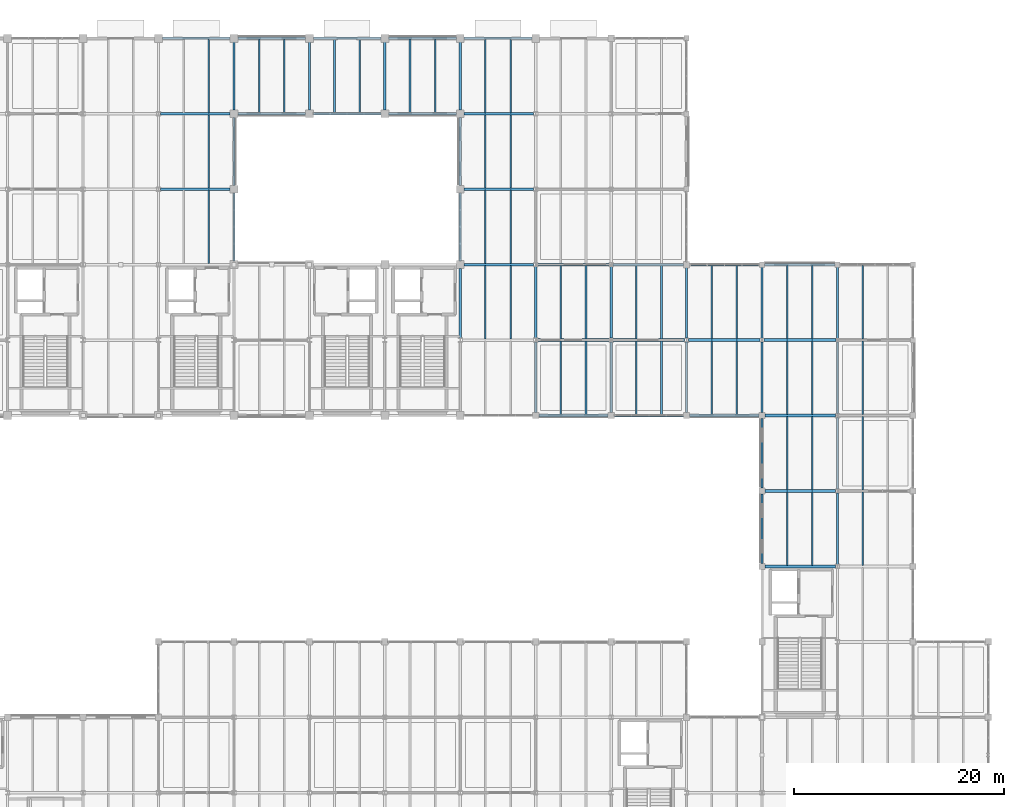
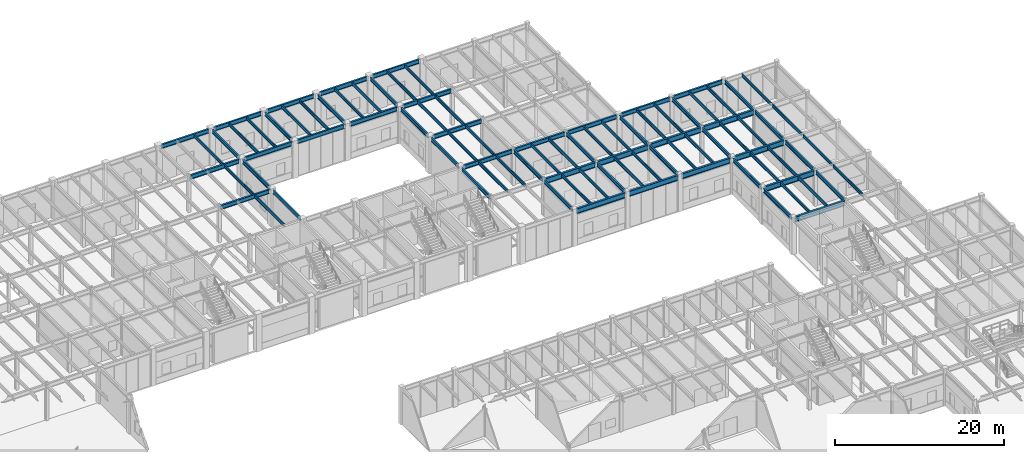
# One storey, part 27 of 97: 91 beams.
"""IFC4 building model written with IfcOpenShell, lengths in metres."""

import ifcopenshell
import ifcopenshell.guid

model = None  # the IFC model being written
_history = None  # IfcOwnerHistory: only IFC2X3 demands one
_inside = {}  # id of a spatial element -> (the spatial element, [elements in it])
_under = {}  # id of a project, library or spatial element -> (it, [spatial elements below it])
_declared = {}  # id of a project -> (the project, [libraries it declares])
_typed = {}  # id of a type object -> (the type object, [elements of that type])
_made_of = {}  # id of a material, layer set ... -> (it, [elements and type objects made of it])


def new_model(schema):
    """Start an empty IFC model of exactly this schema.

    Asked for "IFC4X3", IfcOpenShell would pick the latest addendum, in which some entities
    have other attributes; the version numbers below select the first issue.
    IFC2X3 requires an IfcOwnerHistory on every rooted entity: one is made here for all.
    """
    global model, _history
    if schema == "IFC4X3":
        model = ifcopenshell.file(schema_version=(4, 3, 0, 0))
    else:
        model = ifcopenshell.file(schema=schema)
    _inside.clear()
    _under.clear()
    _declared.clear()
    _typed.clear()
    _made_of.clear()
    _history = None
    if model.schema == "IFC2X3":
        org = make("IfcOrganization", Name="unknown")
        user = make(
            "IfcPersonAndOrganization",
            ThePerson=make("IfcPerson", FamilyName="unknown"),
            TheOrganization=org,
        )
        app = make(
            "IfcApplication",
            ApplicationDeveloper=org,
            Version="unknown",
            ApplicationFullName="unknown",
            ApplicationIdentifier="unknown",
        )
        _history = make(
            "IfcOwnerHistory",
            OwningUser=user,
            OwningApplication=app,
            ChangeAction="ADDED",
            CreationDate=0,
        )
    return model


def make(cls, **values):
    """One entity of the class cls with the attributes given. An attribute that is None is left unset."""
    return model.create_entity(
        cls, **{name: value for name, value in values.items() if value is not None}
    )


def rooted(cls, **values):
    """An entity with a GlobalId (a new one), such as an element, a storey or a relation."""
    return make(cls, GlobalId=ifcopenshell.guid.new(), OwnerHistory=_history, **values)


def si_unit(unit_type, name, prefix=None):
    """IfcSIUnit, for example si_unit("LENGTHUNIT", "METRE", prefix="MILLI")."""
    return make("IfcSIUnit", UnitType=unit_type, Prefix=prefix, Name=name)


def assignment(units):
    """IfcUnitAssignment: the units of a project."""
    return None if units is None else make("IfcUnitAssignment", Units=units)


def point(xyz):
    """IfcCartesianPoint."""
    return None if xyz is None else make("IfcCartesianPoint", Coordinates=xyz)


def direction(xyz):
    """IfcDirection."""
    return None if xyz is None else make("IfcDirection", DirectionRatios=xyz)


def frame(location, z_axis=None, x_axis=None):
    """IfcAxis2Placement3D, a coordinate frame: its origin and axes. An axis left out is left unset."""
    return make(
        "IfcAxis2Placement3D",
        Location=point(location),
        Axis=direction(z_axis),
        RefDirection=direction(x_axis),
    )


def frame_2d(location, x_axis=None):
    """IfcAxis2Placement2D, a coordinate frame in the plane: its origin and x axis."""
    return make(
        "IfcAxis2Placement2D", Location=point(location), RefDirection=direction(x_axis)
    )


def origin():
    """The frame at (0, 0, 0) with its axes left unset."""
    return frame((0.0, 0.0, 0.0))


def origin_2d():
    """The frame at (0, 0) in the plane with its x axis left unset."""
    return frame_2d((0.0, 0.0))


def place(relative_to, where):
    """IfcLocalPlacement: puts the frame where relative to a parent placement (None: the world)."""
    return make(
        "IfcLocalPlacement", PlacementRelTo=relative_to, RelativePlacement=where
    )


def context(
    kind, dimensions, precision=None, world=None, true_north=None, identifier=None
):
    """IfcGeometricRepresentationContext, for example the 3D "Model" context."""
    return make(
        "IfcGeometricRepresentationContext",
        ContextIdentifier=identifier,
        ContextType=kind,
        CoordinateSpaceDimension=dimensions,
        Precision=precision,
        WorldCoordinateSystem=world,
        TrueNorth=true_north,
    )


def subcontext(parent, identifier, kind, view, scale=None):
    """IfcGeometricRepresentationSubContext, for example "Body" below "Model"."""
    return make(
        "IfcGeometricRepresentationSubContext",
        ContextIdentifier=identifier,
        ContextType=kind,
        ParentContext=parent,
        TargetScale=scale,
        TargetView=view,
    )


def project(units=None, contexts=None):
    """IfcProject with its units and contexts."""
    return rooted(
        "IfcProject",
        Name="project",
        RepresentationContexts=contexts,
        UnitsInContext=assignment(units),
    )


def spatial(cls, under=None, at=None, **own):
    """A site, building, storey or space (cls), placed at a placement, below another one or the project."""
    s = rooted(cls, ObjectPlacement=at, **own)
    if under is not None:
        _under.setdefault(under.id(), (under, []))[1].append(s)
    return s


def profile(cls, at=None, kind="AREA", **sizes):
    """A parametric profile (cls). Its sizes go by their IFC names, for example OverallWidth=200.0."""
    return make(cls, ProfileType=kind, Position=at, **sizes)


def i_section(**sizes):
    """IfcIShapeProfileDef."""
    return profile("IfcIShapeProfileDef", **sizes)


def extrude(swept, where, along, depth):
    """IfcExtrudedAreaSolid: the profile swept, set in the frame where, extruded along a direction by depth."""
    return make(
        "IfcExtrudedAreaSolid",
        SweptArea=swept,
        Position=where,
        ExtrudedDirection=direction(along),
        Depth=depth,
    )


def shape(context_of_items, identifier, shape_type, items):
    """IfcShapeRepresentation: the items that make up one representation, for example the "Body"."""
    return make(
        "IfcShapeRepresentation",
        ContextOfItems=context_of_items,
        RepresentationIdentifier=identifier,
        RepresentationType=shape_type,
        Items=items,
    )


def material(Name=None, Category=None):
    """IfcMaterial."""
    return make("IfcMaterial", Name=Name, Category=Category)


def material_profile(
    of_material, cross_section, Name=None, Category=None, Priority=None
):
    """IfcMaterialProfile: a cross section and its material."""
    return make(
        "IfcMaterialProfile",
        Name=Name,
        Material=of_material,
        Profile=cross_section,
        Priority=Priority,
        Category=Category,
    )


def profile_set(profiles, Name=None, composite=None):
    """IfcMaterialProfileSet."""
    return make(
        "IfcMaterialProfileSet",
        Name=Name,
        MaterialProfiles=profiles,
        CompositeProfile=composite,
    )


def made_of(thing, what):
    """Note that an element or type object is made of a material, layer set ...; save() writes the relation."""
    if what is not None:
        _made_of.setdefault(what.id(), (what, []))[1].append(thing)
    return thing


def type_object(cls, material=None, **own):
    """A type object (cls), such as IfcWallType, which elements share."""
    return made_of(rooted(cls, **own), material)


def element(
    cls,
    number,
    at=None,
    inside=None,
    cuts=None,
    type_object=None,
    material=None,
    context=None,
    identifier="Body",
    shape_type=None,
    held_by="IfcProductDefinitionShape",
    body=None,
    shapes=None,
    **own,
):
    """One element of the class cls, such as IfcWall. Its Tag is "e" and its number.

    at: its placement. inside: the storey or other place that contains it. cuts: it is an
    opening in that element (IfcRelVoidsElement). A single representation is given by context,
    identifier, shape_type and body (its items); several are given by shapes. held_by: the class
    of the entity that holds the representations. save() writes the other relations.
    """
    e = rooted(cls, Tag="e%d" % number, ObjectPlacement=at, **own)
    if body is not None:
        shapes = [shape(context, identifier, shape_type, body)]
    if shapes is not None:
        e.Representation = make(held_by, Representations=shapes)
    if inside is not None:
        _inside.setdefault(inside.id(), (inside, []))[1].append(e)
    if cuts is not None:
        rooted(
            "IfcRelVoidsElement", RelatingBuildingElement=cuts, RelatedOpeningElement=e
        )
    if type_object is not None:
        _typed.setdefault(type_object.id(), (type_object, []))[1].append(e)
    return made_of(e, material)


def aggregate(whole, parts):
    """IfcRelAggregates: a whole, such as a stair, and the parts it consists of."""
    return rooted("IfcRelAggregates", RelatingObject=whole, RelatedObjects=parts)


def save(model, path):
    """Write the relations noted so far, then the file.

    IfcRelAggregates (storeys below a building ...), IfcRelContainedInSpatialStructure (elements
    in a storey), IfcRelDefinesByType, IfcRelAssociatesMaterial and IfcRelDeclares: one each for
    every whole, place, type object, material and project.
    """
    for whole, parts in _under.values():
        aggregate(whole, parts)
    for where, things in _inside.values():
        rooted(
            "IfcRelContainedInSpatialStructure",
            RelatedElements=things,
            RelatingStructure=where,
        )
    for kind, things in _typed.values():
        rooted("IfcRelDefinesByType", RelatedObjects=things, RelatingType=kind)
    for what, things in _made_of.values():
        rooted("IfcRelAssociatesMaterial", RelatedObjects=things, RelatingMaterial=what)
    for by, libraries in _declared.values():
        rooted("IfcRelDeclares", RelatingContext=by, RelatedDefinitions=libraries)
    model.write(path)


model = new_model("IFC4")

# Units and contexts
model_context = context("Model", 3, precision=1e-05, world=origin(), true_north=direction((0.0, 1.0)))
body_context = subcontext(model_context, "Body", "Model", "MODEL_VIEW")
ifc_project = project(units=[si_unit("LENGTHUNIT", "METRE"), si_unit("AREAUNIT", "SQUARE_METRE"), si_unit("VOLUMEUNIT", "CUBIC_METRE"), si_unit("PLANEANGLEUNIT", "RADIAN"), si_unit("MASSUNIT", "GRAM", prefix="KILO")], contexts=[model_context])

# Site, building, storey
site_placement = place(None, origin())
site = spatial("IfcSite", under=ifc_project, at=site_placement, CompositionType="ELEMENT")
building_placement = place(site_placement, origin())
building = spatial("IfcBuilding", under=site, at=building_placement, Name="Sillqori Civic Hall", CompositionType="ELEMENT")
storey_placement = place(building_placement, origin())
storey = spatial("IfcBuildingStorey", under=building, at=storey_placement, Name="L01", CompositionType="ELEMENT", Elevation=0.0)

# Beams
ifc_material = material(Name="Steel ASTM A992", Category="steel")
ifc_material_profile_1 = material_profile(ifc_material, i_section(OverallWidth=0.2099609375, OverallDepth=0.532958984375, WebThickness=0.01025390625, FlangeThickness=0.015625, FilletRadius=0.013916015625, at=origin_2d()), Name="W21X62")
ifc_profile_set_1 = profile_set([ifc_material_profile_1], Name="Steel ASTM A992")
beam_type_1 = type_object("IfcBeamType", Name="BM-W21X62", PredefinedType="BEAM", material=ifc_profile_set_1)
beam_1_placement = place(storey_placement, frame((72.0, 93.968994140625, 4.93359375), z_axis=(0.0, 1.0, 0.0), x_axis=(-1.0, 0.0, 0.0)))
element("IfcBeam", 1, at=beam_1_placement, inside=storey, type_object=beam_type_1, Name="L01 girder Y 10-13", PredefinedType="BEAM", context=body_context, shape_type="SweptSolid", body=[
    extrude(i_section(OverallWidth=0.2099609375, OverallDepth=0.532958984375, WebThickness=0.01025390625, FlangeThickness=0.015625, FilletRadius=0.013916015625, at=origin_2d()), origin(), (0.0, 0.0, 1.0), 6.4619140625),
])
for number, where, z_axis, x_axis, name in (
    (2, (72.0, 101.1689453125, 4.93359375), (0.0, 1.0, 0.0), (-1.0, 0.0, 0.0), "L01 girder Y 10-14"),
    (3, (72.0, 108.368896484375, 4.93359375), (0.0, 1.0, 0.0), (-1.0, 0.0, 0.0), "L01 girder Y 10-15"),
    (4, (79.199951171875, 108.368896484375, 4.93359375), (0.0, 1.0, 0.0), (-1.0, 0.0, 0.0), "L01 girder Y 11-15"),
    (5, (86.39990234375, 108.368896484375, 4.93359375), (0.0, 1.0, 0.0), (-1.0, 0.0, 0.0), "L01 girder Y 12-15"),
):
    element("IfcBeam", number, at=place(storey_placement, frame(where, z_axis=z_axis, x_axis=x_axis)), inside=storey, type_object=beam_type_1, Name=name, PredefinedType="BEAM", context=body_context, shape_type="SweptSolid", body=[
        extrude(i_section(OverallWidth=0.2099609375, OverallDepth=0.532958984375, WebThickness=0.01025390625, FlangeThickness=0.015625, FilletRadius=0.013916015625, at=origin_2d()), origin(), (0.0, 0.0, 1.0), 6.462158203125),
    ])
beam_2_placement = place(storey_placement, frame((93.60009765625, 86.596923828125, 4.93359375), z_axis=(0.0, 1.0, 0.0), x_axis=(-1.0, 0.0, 0.0)))
element("IfcBeam", 6, at=beam_2_placement, inside=storey, type_object=beam_type_1, Name="L01 girder Y 13-12", PredefinedType="BEAM", context=body_context, shape_type="SweptSolid", body=[
    extrude(i_section(OverallWidth=0.2099609375, OverallDepth=0.532958984375, WebThickness=0.01025390625, FlangeThickness=0.015625, FilletRadius=0.013916015625, at=origin_2d()), origin(), (0.0, 0.0, 1.0), 6.634033203125),
])
beam_3_placement = place(storey_placement, frame((93.60009765625, 93.968994140625, 4.93359375), z_axis=(0.0, 1.0, 0.0), x_axis=(-1.0, 0.0, 0.0)))
element("IfcBeam", 7, at=beam_3_placement, inside=storey, type_object=beam_type_1, Name="L01 girder Y 13-13", PredefinedType="BEAM", context=body_context, shape_type="SweptSolid", body=[
    extrude(i_section(OverallWidth=0.2099609375, OverallDepth=0.532958984375, WebThickness=0.01025390625, FlangeThickness=0.015625, FilletRadius=0.013916015625, at=origin_2d()), origin(), (0.0, 0.0, 1.0), 6.4619140625),
])
for number, where, z_axis, x_axis, name in (
    (8, (93.60009765625, 101.1689453125, 4.93359375), (0.0, 1.0, 0.0), (-1.0, 0.0, 0.0), "L01 girder Y 13-14"),
    (9, (93.60009765625, 108.368896484375, 4.93359375), (0.0, 1.0, 0.0), (-1.0, 0.0, 0.0), "L01 girder Y 13-15"),
):
    element("IfcBeam", number, at=place(storey_placement, frame(where, z_axis=z_axis, x_axis=x_axis)), inside=storey, type_object=beam_type_1, Name=name, PredefinedType="BEAM", context=body_context, shape_type="SweptSolid", body=[
        extrude(i_section(OverallWidth=0.2099609375, OverallDepth=0.532958984375, WebThickness=0.01025390625, FlangeThickness=0.015625, FilletRadius=0.013916015625, at=origin_2d()), origin(), (0.0, 0.0, 1.0), 6.462158203125),
    ])
beam_4_placement = place(storey_placement, frame((100.800048828125, 79.493896484375, 4.93359375), z_axis=(0.0, 1.0, 0.0), x_axis=(-1.0, 0.0, 0.0)))
element("IfcBeam", 10, at=beam_4_placement, inside=storey, type_object=beam_type_1, Name="L01 girder Y 14-11", PredefinedType="BEAM", context=body_context, shape_type="SweptSolid", body=[
    extrude(i_section(OverallWidth=0.2099609375, OverallDepth=0.532958984375, WebThickness=0.01025390625, FlangeThickness=0.015625, FilletRadius=0.013916015625, at=origin_2d()), origin(), (0.0, 0.0, 1.0), 6.708984375),
])
beam_5_placement = place(storey_placement, frame((100.800048828125, 86.596923828125, 4.93359375), z_axis=(0.0, 1.0, 0.0), x_axis=(-1.0, 0.0, 0.0)))
element("IfcBeam", 11, at=beam_5_placement, inside=storey, type_object=beam_type_1, Name="L01 girder Y 14-12", PredefinedType="BEAM", context=body_context, shape_type="SweptSolid", body=[
    extrude(i_section(OverallWidth=0.2099609375, OverallDepth=0.532958984375, WebThickness=0.01025390625, FlangeThickness=0.015625, FilletRadius=0.013916015625, at=origin_2d()), origin(), (0.0, 0.0, 1.0), 6.80615234375),
])
beam_6_placement = place(storey_placement, frame((108.0, 79.493896484375, 4.93359375), z_axis=(0.0, 1.0, 0.0), x_axis=(-1.0, 0.0, 0.0)))
element("IfcBeam", 12, at=beam_6_placement, inside=storey, type_object=beam_type_1, Name="L01 girder Y 15-11", PredefinedType="BEAM", context=body_context, shape_type="SweptSolid", body=[
    extrude(i_section(OverallWidth=0.2099609375, OverallDepth=0.532958984375, WebThickness=0.01025390625, FlangeThickness=0.015625, FilletRadius=0.013916015625, at=origin_2d()), origin(), (0.0, 0.0, 1.0), 6.72412109375),
])
beam_7_placement = place(storey_placement, frame((108.0, 86.58203125, 4.93359375), z_axis=(0.0, 1.0, 0.0), x_axis=(-1.0, 0.0, 0.0)))
element("IfcBeam", 13, at=beam_7_placement, inside=storey, type_object=beam_type_1, Name="L01 girder Y 15-12", PredefinedType="BEAM", context=body_context, shape_type="SweptSolid", body=[
    extrude(i_section(OverallWidth=0.2099609375, OverallDepth=0.532958984375, WebThickness=0.01025390625, FlangeThickness=0.015625, FilletRadius=0.013916015625, at=origin_2d()), origin(), (0.0, 0.0, 1.0), 6.8359375),
])
for number, where, z_axis, x_axis, name in (
    (14, (115.199951171875, 79.493896484375, 4.93359375), (0.0, 1.0, 0.0), (-1.0, 0.0, 0.0), "L01 girder Y 16-11"),
    (15, (115.199951171875, 86.577880859375, 4.93359375), (0.0, 1.0, 0.0), (-1.0, 0.0, 0.0), "L01 girder Y 16-12"),
):
    element("IfcBeam", number, at=place(storey_placement, frame(where, z_axis=z_axis, x_axis=x_axis)), inside=storey, type_object=beam_type_1, Name=name, PredefinedType="BEAM", context=body_context, shape_type="SweptSolid", body=[
        extrude(i_section(OverallWidth=0.2099609375, OverallDepth=0.532958984375, WebThickness=0.01025390625, FlangeThickness=0.015625, FilletRadius=0.013916015625, at=origin_2d()), origin(), (0.0, 0.0, 1.0), 6.72802734375),
    ])
for number, where, z_axis, x_axis, name in (
    (16, (122.39990234375, 65.093994140625, 4.93359375), (0.0, 1.0, 0.0), (-1.0, 0.0, 0.0), "L01 girder Y 17-9"),
    (17, (122.39990234375, 72.2939453125, 4.93359375), (0.0, 1.0, 0.0), (-1.0, 0.0, 0.0), "L01 girder Y 17-10"),
):
    element("IfcBeam", number, at=place(storey_placement, frame(where, z_axis=z_axis, x_axis=x_axis)), inside=storey, type_object=beam_type_1, Name=name, PredefinedType="BEAM", context=body_context, shape_type="SweptSolid", body=[
        extrude(i_section(OverallWidth=0.2099609375, OverallDepth=0.532958984375, WebThickness=0.01025390625, FlangeThickness=0.015625, FilletRadius=0.013916015625, at=origin_2d()), origin(), (0.0, 0.0, 1.0), 6.612060546875),
    ])
beam_8_placement = place(storey_placement, frame((122.39990234375, 79.493896484375, 4.93359375), z_axis=(0.0, 1.0, 0.0), x_axis=(-1.0, 0.0, 0.0)))
element("IfcBeam", 18, at=beam_8_placement, inside=storey, type_object=beam_type_1, Name="L01 girder Y 17-11", PredefinedType="BEAM", context=body_context, shape_type="SweptSolid", body=[
    extrude(i_section(OverallWidth=0.2099609375, OverallDepth=0.532958984375, WebThickness=0.01025390625, FlangeThickness=0.015625, FilletRadius=0.013916015625, at=origin_2d()), origin(), (0.0, 0.0, 1.0), 6.731689453125),
])
beam_9_placement = place(storey_placement, frame((122.39990234375, 86.574462890625, 4.93359375), z_axis=(0.0, 1.0, 0.0), x_axis=(-1.0, 0.0, 0.0)))
element("IfcBeam", 19, at=beam_9_placement, inside=storey, type_object=beam_type_1, Name="L01 girder Y 17-12", PredefinedType="BEAM", context=body_context, shape_type="SweptSolid", body=[
    extrude(i_section(OverallWidth=0.2099609375, OverallDepth=0.532958984375, WebThickness=0.01025390625, FlangeThickness=0.015625, FilletRadius=0.013916015625, at=origin_2d()), origin(), (0.0, 0.0, 1.0), 6.781494140625),
])
for number, where, z_axis, x_axis, name in (
    (20, (129.60009765625, 64.98193359375, 4.93359375), (0.0, 1.0, 0.0), (-1.0, 0.0, 0.0), "L01 girder Y 18-9"),
    (21, (129.60009765625, 72.181884765625, 4.93359375), (0.0, 1.0, 0.0), (-1.0, 0.0, 0.0), "L01 girder Y 18-10"),
):
    element("IfcBeam", number, at=place(storey_placement, frame(where, z_axis=z_axis, x_axis=x_axis)), inside=storey, type_object=beam_type_1, Name=name, PredefinedType="BEAM", context=body_context, shape_type="SweptSolid", body=[
        extrude(i_section(OverallWidth=0.2099609375, OverallDepth=0.532958984375, WebThickness=0.01025390625, FlangeThickness=0.015625, FilletRadius=0.013916015625, at=origin_2d()), origin(), (0.0, 0.0, 1.0), 6.836181640625),
    ])
beam_10_placement = place(storey_placement, frame((129.60009765625, 79.382080078125, 4.93359375), z_axis=(0.0, 1.0, 0.0), x_axis=(-1.0, 0.0, 0.0)))
element("IfcBeam", 22, at=beam_10_placement, inside=storey, type_object=beam_type_1, Name="L01 girder Y 18-11", PredefinedType="BEAM", context=body_context, shape_type="SweptSolid", body=[
    extrude(i_section(OverallWidth=0.2099609375, OverallDepth=0.532958984375, WebThickness=0.01025390625, FlangeThickness=0.015625, FilletRadius=0.013916015625, at=origin_2d()), origin(), (0.0, 0.0, 1.0), 6.842529296875),
])
beam_11_placement = place(storey_placement, frame((129.60009765625, 86.575439453125, 4.93359375), z_axis=(0.0, 1.0, 0.0), x_axis=(-1.0, 0.0, 0.0)))
element("IfcBeam", 23, at=beam_11_placement, inside=storey, type_object=beam_type_1, Name="L01 girder Y 18-12", PredefinedType="BEAM", context=body_context, shape_type="SweptSolid", body=[
    extrude(i_section(OverallWidth=0.2099609375, OverallDepth=0.532958984375, WebThickness=0.01025390625, FlangeThickness=0.015625, FilletRadius=0.013916015625, at=origin_2d()), origin(), (0.0, 0.0, 1.0), 6.780517578125),
])
ifc_material_profile_2 = material_profile(ifc_material, i_section(OverallWidth=0.22802734375, OverallDepth=0.60205078125, WebThickness=0.010498046875, FlangeThickness=0.014892578125, FilletRadius=0.014892578125, at=origin_2d()), Name="W24X68")
ifc_profile_set_2 = profile_set([ifc_material_profile_2], Name="Steel ASTM A992")
beam_type_2 = type_object("IfcBeamType", Name="BM-W24X68", PredefinedType="BEAM", material=ifc_profile_set_2)
for number, where, z_axis, x_axis, name in (
    (24, (64.99609375, 100.800048828125, 4.89892578125), (1.0, 0.0, 0.0), (0.0, 1.0, 0.0), "L01 girder X 9-14"),
    (25, (64.99609375, 108.0, 4.89892578125), (1.0, 0.0, 0.0), (0.0, 1.0, 0.0), "L01 girder X 9-15"),
):
    element("IfcBeam", number, at=place(storey_placement, frame(where, z_axis=z_axis, x_axis=x_axis)), inside=storey, type_object=beam_type_2, Name=name, PredefinedType="BEAM", context=body_context, shape_type="SweptSolid", body=[
        extrude(i_section(OverallWidth=0.22802734375, OverallDepth=0.60205078125, WebThickness=0.010498046875, FlangeThickness=0.014892578125, FilletRadius=0.014892578125, at=origin_2d()), origin(), (0.0, 0.0, 1.0), 6.635009765625),
    ])
for number, where, z_axis, x_axis, name in (
    (26, (65.1689453125, 115.199951171875, 4.89892578125), (1.0, 0.0, 0.0), (0.0, 1.0, 0.0), "L01 girder X 9-16"),
    (27, (72.368896484375, 108.0, 4.89892578125), (1.0, 0.0, 0.0), (0.0, 1.0, 0.0), "L01 girder X 10-15"),
    (28, (72.368896484375, 115.199951171875, 4.89892578125), (1.0, 0.0, 0.0), (0.0, 1.0, 0.0), "L01 girder X 10-16"),
):
    element("IfcBeam", number, at=place(storey_placement, frame(where, z_axis=z_axis, x_axis=x_axis)), inside=storey, type_object=beam_type_2, Name=name, PredefinedType="BEAM", context=body_context, shape_type="SweptSolid", body=[
        extrude(i_section(OverallWidth=0.22802734375, OverallDepth=0.60205078125, WebThickness=0.010498046875, FlangeThickness=0.014892578125, FilletRadius=0.014892578125, at=origin_2d()), origin(), (0.0, 0.0, 1.0), 6.462158203125),
    ])
for number, where, z_axis, x_axis, name in (
    (29, (79.569091796875, 108.0, 4.89892578125), (1.0, 0.0, 0.0), (0.0, 1.0, 0.0), "L01 girder X 11-15"),
    (30, (79.569091796875, 115.199951171875, 4.89892578125), (1.0, 0.0, 0.0), (0.0, 1.0, 0.0), "L01 girder X 11-16"),
    (31, (86.76904296875, 108.0, 4.89892578125), (1.0, 0.0, 0.0), (0.0, 1.0, 0.0), "L01 girder X 12-15"),
    (32, (86.76904296875, 115.199951171875, 4.89892578125), (1.0, 0.0, 0.0), (0.0, 1.0, 0.0), "L01 girder X 12-16"),
):
    element("IfcBeam", number, at=place(storey_placement, frame(where, z_axis=z_axis, x_axis=x_axis)), inside=storey, type_object=beam_type_2, Name=name, PredefinedType="BEAM", context=body_context, shape_type="SweptSolid", body=[
        extrude(i_section(OverallWidth=0.22802734375, OverallDepth=0.60205078125, WebThickness=0.010498046875, FlangeThickness=0.014892578125, FilletRadius=0.014892578125, at=origin_2d()), origin(), (0.0, 0.0, 1.0), 6.4619140625),
    ])
for number, where, z_axis, x_axis, name in (
    (33, (93.968994140625, 93.60009765625, 4.89892578125), (1.0, 0.0, 0.0), (0.0, 1.0, 0.0), "L01 girder X 13-13"),
    (34, (93.968994140625, 100.800048828125, 4.89892578125), (1.0, 0.0, 0.0), (0.0, 1.0, 0.0), "L01 girder X 13-14"),
    (35, (93.968994140625, 108.0, 4.89892578125), (1.0, 0.0, 0.0), (0.0, 1.0, 0.0), "L01 girder X 13-15"),
):
    element("IfcBeam", number, at=place(storey_placement, frame(where, z_axis=z_axis, x_axis=x_axis)), inside=storey, type_object=beam_type_2, Name=name, PredefinedType="BEAM", context=body_context, shape_type="SweptSolid", body=[
        extrude(i_section(OverallWidth=0.22802734375, OverallDepth=0.60205078125, WebThickness=0.010498046875, FlangeThickness=0.014892578125, FilletRadius=0.014892578125, at=origin_2d()), origin(), (0.0, 0.0, 1.0), 6.635009765625),
    ])
beam_12_placement = place(storey_placement, frame((93.968994140625, 115.199951171875, 4.89892578125), z_axis=(1.0, 0.0, 0.0), x_axis=(0.0, 1.0, 0.0)))
element("IfcBeam", 36, at=beam_12_placement, inside=storey, type_object=beam_type_2, Name="L01 girder X 13-16", PredefinedType="BEAM", context=body_context, shape_type="SweptSolid", body=[
    extrude(i_section(OverallWidth=0.22802734375, OverallDepth=0.60205078125, WebThickness=0.010498046875, FlangeThickness=0.014892578125, FilletRadius=0.014892578125, at=origin_2d()), origin(), (0.0, 0.0, 1.0), 6.4619140625),
])
beam_13_placement = place(storey_placement, frame((100.99609375, 93.60009765625, 4.89892578125), z_axis=(1.0, 0.0, 0.0), x_axis=(0.0, 1.0, 0.0)))
element("IfcBeam", 37, at=beam_13_placement, inside=storey, type_object=beam_type_2, Name="L01 girder X 14-13", PredefinedType="BEAM", context=body_context, shape_type="SweptSolid", body=[
    extrude(i_section(OverallWidth=0.22802734375, OverallDepth=0.60205078125, WebThickness=0.010498046875, FlangeThickness=0.014892578125, FilletRadius=0.014892578125, at=origin_2d()), origin(), (0.0, 0.0, 1.0), 6.81298828125),
])
beam_14_placement = place(storey_placement, frame((108.19091796875, 93.60009765625, 4.89892578125), z_axis=(1.0, 0.0, 0.0), x_axis=(0.0, 1.0, 0.0)))
element("IfcBeam", 38, at=beam_14_placement, inside=storey, type_object=beam_type_2, Name="L01 girder X 15-13", PredefinedType="BEAM", context=body_context, shape_type="SweptSolid", body=[
    extrude(i_section(OverallWidth=0.22802734375, OverallDepth=0.60205078125, WebThickness=0.010498046875, FlangeThickness=0.014892578125, FilletRadius=0.014892578125, at=origin_2d()), origin(), (0.0, 0.0, 1.0), 6.715087890625),
])
beam_15_placement = place(storey_placement, frame((115.493896484375, 93.60009765625, 4.89892578125), z_axis=(1.0, 0.0, 0.0), x_axis=(0.0, 1.0, 0.0)))
element("IfcBeam", 39, at=beam_15_placement, inside=storey, type_object=beam_type_2, Name="L01 girder X 16-13", PredefinedType="BEAM", context=body_context, shape_type="SweptSolid", body=[
    extrude(i_section(OverallWidth=0.22802734375, OverallDepth=0.60205078125, WebThickness=0.010498046875, FlangeThickness=0.014892578125, FilletRadius=0.014892578125, at=origin_2d()), origin(), (0.0, 0.0, 1.0), 6.662109375),
])
beam_16_placement = place(storey_placement, frame((122.64404296875, 93.60009765625, 4.89892578125), z_axis=(1.0, 0.0, 0.0), x_axis=(0.0, 1.0, 0.0)))
element("IfcBeam", 40, at=beam_16_placement, inside=storey, type_object=beam_type_2, Name="L01 girder X 17-13", PredefinedType="BEAM", context=body_context, shape_type="SweptSolid", body=[
    extrude(i_section(OverallWidth=0.22802734375, OverallDepth=0.60205078125, WebThickness=0.010498046875, FlangeThickness=0.014892578125, FilletRadius=0.014892578125, at=origin_2d()), origin(), (0.0, 0.0, 1.0), 6.7119140625),
])
ifc_material_profile_3 = material_profile(ifc_material, i_section(OverallWidth=0.26708984375, OverallDepth=0.761962890625, WebThickness=0.014404296875, FlangeThickness=0.021484375, FilletRadius=0.01708984375, at=origin_2d()), Name="W30X116")
ifc_profile_set_3 = profile_set([ifc_material_profile_3], Name="Steel ASTM A992")
beam_type_3 = type_object("IfcBeamType", Name="BM-W30X116", PredefinedType="BEAM", material=ifc_profile_set_3)
beam_17_placement = place(storey_placement, frame((101.093994140625, 79.199951171875, 4.819091796875), z_axis=(1.0, 0.0, 0.0), x_axis=(0.0, 1.0, 0.0)))
element("IfcBeam", 41, at=beam_17_placement, inside=storey, type_object=beam_type_3, Name="L01 girder X 14-11", PredefinedType="BEAM", context=body_context, shape_type="SweptSolid", body=[
    extrude(i_section(OverallWidth=0.26708984375, OverallDepth=0.761962890625, WebThickness=0.014404296875, FlangeThickness=0.021484375, FilletRadius=0.01708984375, at=origin_2d()), origin(), (0.0, 0.0, 1.0), 6.612060546875),
])
beam_18_placement = place(storey_placement, frame((100.99609375, 86.39990234375, 4.819091796875), z_axis=(1.0, 0.0, 0.0), x_axis=(0.0, 1.0, 0.0)))
element("IfcBeam", 42, at=beam_18_placement, inside=storey, type_object=beam_type_3, Name="L01 girder X 14-12", PredefinedType="BEAM", context=body_context, shape_type="SweptSolid", body=[
    extrude(i_section(OverallWidth=0.26708984375, OverallDepth=0.761962890625, WebThickness=0.014404296875, FlangeThickness=0.021484375, FilletRadius=0.01708984375, at=origin_2d()), origin(), (0.0, 0.0, 1.0), 6.81298828125),
])
beam_19_placement = place(storey_placement, frame((108.2939453125, 79.199951171875, 4.819091796875), z_axis=(1.0, 0.0, 0.0), x_axis=(0.0, 1.0, 0.0)))
element("IfcBeam", 43, at=beam_19_placement, inside=storey, type_object=beam_type_3, Name="L01 girder X 15-11", PredefinedType="BEAM", context=body_context, shape_type="SweptSolid", body=[
    extrude(i_section(OverallWidth=0.26708984375, OverallDepth=0.761962890625, WebThickness=0.014404296875, FlangeThickness=0.021484375, FilletRadius=0.01708984375, at=origin_2d()), origin(), (0.0, 0.0, 1.0), 6.612060546875),
])
beam_20_placement = place(storey_placement, frame((108.19091796875, 86.39990234375, 4.819091796875), z_axis=(1.0, 0.0, 0.0), x_axis=(0.0, 1.0, 0.0)))
element("IfcBeam", 44, at=beam_20_placement, inside=storey, type_object=beam_type_3, Name="L01 girder X 15-12", PredefinedType="BEAM", context=body_context, shape_type="SweptSolid", body=[
    extrude(i_section(OverallWidth=0.26708984375, OverallDepth=0.761962890625, WebThickness=0.014404296875, FlangeThickness=0.021484375, FilletRadius=0.01708984375, at=origin_2d()), origin(), (0.0, 0.0, 1.0), 6.82861328125),
])
beam_21_placement = place(storey_placement, frame((115.493896484375, 79.199951171875, 4.819091796875), z_axis=(1.0, 0.0, 0.0), x_axis=(0.0, 1.0, 0.0)))
element("IfcBeam", 45, at=beam_21_placement, inside=storey, type_object=beam_type_3, Name="L01 girder X 16-11", PredefinedType="BEAM", context=body_context, shape_type="SweptSolid", body=[
    extrude(i_section(OverallWidth=0.26708984375, OverallDepth=0.761962890625, WebThickness=0.014404296875, FlangeThickness=0.021484375, FilletRadius=0.01708984375, at=origin_2d()), origin(), (0.0, 0.0, 1.0), 6.612060546875),
])
beam_22_placement = place(storey_placement, frame((115.380615234375, 86.39990234375, 4.819091796875), z_axis=(1.0, 0.0, 0.0), x_axis=(0.0, 1.0, 0.0)))
element("IfcBeam", 46, at=beam_22_placement, inside=storey, type_object=beam_type_3, Name="L01 girder X 16-12", PredefinedType="BEAM", context=body_context, shape_type="SweptSolid", body=[
    extrude(i_section(OverallWidth=0.26708984375, OverallDepth=0.761962890625, WebThickness=0.014404296875, FlangeThickness=0.021484375, FilletRadius=0.01708984375, at=origin_2d()), origin(), (0.0, 0.0, 1.0), 6.83984375),
])
for number, where, z_axis, x_axis, name in (
    (47, (122.694091796875, 64.800048828125, 4.819091796875), (1.0, 0.0, 0.0), (0.0, 1.0, 0.0), "L01 girder X 17-9"),
    (48, (122.694091796875, 72.0, 4.819091796875), (1.0, 0.0, 0.0), (0.0, 1.0, 0.0), "L01 girder X 17-10"),
    (49, (122.694091796875, 79.199951171875, 4.819091796875), (1.0, 0.0, 0.0), (0.0, 1.0, 0.0), "L01 girder X 17-11"),
):
    element("IfcBeam", number, at=place(storey_placement, frame(where, z_axis=z_axis, x_axis=x_axis)), inside=storey, type_object=beam_type_3, Name=name, PredefinedType="BEAM", context=body_context, shape_type="SweptSolid", body=[
        extrude(i_section(OverallWidth=0.26708984375, OverallDepth=0.761962890625, WebThickness=0.014404296875, FlangeThickness=0.021484375, FilletRadius=0.01708984375, at=origin_2d()), origin(), (0.0, 0.0, 1.0), 6.71484375),
    ])
beam_23_placement = place(storey_placement, frame((122.57958984375, 86.39990234375, 4.819091796875), z_axis=(1.0, 0.0, 0.0), x_axis=(0.0, 1.0, 0.0)))
element("IfcBeam", 50, at=beam_23_placement, inside=storey, type_object=beam_type_3, Name="L01 girder X 17-12", PredefinedType="BEAM", context=body_context, shape_type="SweptSolid", body=[
    extrude(i_section(OverallWidth=0.26708984375, OverallDepth=0.761962890625, WebThickness=0.014404296875, FlangeThickness=0.021484375, FilletRadius=0.01708984375, at=origin_2d()), origin(), (0.0, 0.0, 1.0), 6.89794921875),
])
ifc_material_profile_4 = material_profile(ifc_material, i_section(OverallWidth=0.153076171875, OverallDepth=0.455078125, WebThickness=0.008056640625, FlangeThickness=0.01318359375, FilletRadius=0.012939453125, at=origin_2d()), Name="W18X40")
ifc_profile_set_4 = profile_set([ifc_material_profile_4], Name="Steel ASTM A992")
beam_type_4 = type_object("IfcBeamType", Name="JS-W18X40", PredefinedType="JOIST", material=ifc_profile_set_4)
for number, where, z_axis, x_axis, name in (
    (51, (69.60009765625, 93.695068359375, 4.972412109375), (0.0, 1.0, 0.0), (-1.0, 0.0, 0.0), "L01 composite joist 9-13.2"),
    (52, (69.60009765625, 100.89501953125, 4.972412109375), (0.0, 1.0, 0.0), (-1.0, 0.0, 0.0), "L01 composite joist 9-14.2"),
    (53, (69.60009765625, 108.094970703125, 4.972412109375), (0.0, 1.0, 0.0), (-1.0, 0.0, 0.0), "L01 composite joist 9-15.2"),
    (54, (74.39990234375, 108.094970703125, 4.972412109375), (0.0, 1.0, 0.0), (-1.0, 0.0, 0.0), "L01 composite joist 10-15.1"),
    (55, (76.800048828125, 108.094970703125, 4.972412109375), (0.0, 1.0, 0.0), (-1.0, 0.0, 0.0), "L01 composite joist 10-15.2"),
    (56, (81.60009765625, 108.094970703125, 4.972412109375), (0.0, 1.0, 0.0), (-1.0, 0.0, 0.0), "L01 composite joist 11-15.1"),
    (57, (84.0, 108.094970703125, 4.972412109375), (0.0, 1.0, 0.0), (-1.0, 0.0, 0.0), "L01 composite joist 11-15.2"),
    (58, (88.800048828125, 108.094970703125, 4.972412109375), (0.0, 1.0, 0.0), (-1.0, 0.0, 0.0), "L01 composite joist 12-15.1"),
    (59, (91.199951171875, 108.094970703125, 4.972412109375), (0.0, 1.0, 0.0), (-1.0, 0.0, 0.0), "L01 composite joist 12-15.2"),
):
    element("IfcBeam", number, at=place(storey_placement, frame(where, z_axis=z_axis, x_axis=x_axis)), inside=storey, type_object=beam_type_4, Name=name, PredefinedType="JOIST", context=body_context, shape_type="SweptSolid", body=[
        extrude(i_section(OverallWidth=0.153076171875, OverallDepth=0.455078125, WebThickness=0.008056640625, FlangeThickness=0.01318359375, FilletRadius=0.012939453125, at=origin_2d()), origin(), (0.0, 0.0, 1.0), 7.010009765625),
    ])
for number, where, z_axis, x_axis, name in (
    (60, (96.0, 86.4951171875, 4.972412109375), (0.0, 1.0, 0.0), (-1.0, 0.0, 0.0), "L01 composite joist 13-12.1"),
    (61, (98.39990234375, 86.4951171875, 4.972412109375), (0.0, 1.0, 0.0), (-1.0, 0.0, 0.0), "L01 composite joist 13-12.2"),
):
    element("IfcBeam", number, at=place(storey_placement, frame(where, z_axis=z_axis, x_axis=x_axis)), inside=storey, type_object=beam_type_4, Name=name, PredefinedType="JOIST", context=body_context, shape_type="SweptSolid", body=[
        extrude(i_section(OverallWidth=0.153076171875, OverallDepth=0.455078125, WebThickness=0.008056640625, FlangeThickness=0.01318359375, FilletRadius=0.012939453125, at=origin_2d()), origin(), (0.0, 0.0, 1.0), 7.009765625),
    ])
for number, where, z_axis, x_axis, name in (
    (62, (96.0, 93.695068359375, 4.972412109375), (0.0, 1.0, 0.0), (-1.0, 0.0, 0.0), "L01 composite joist 13-13.1"),
    (63, (98.39990234375, 93.695068359375, 4.972412109375), (0.0, 1.0, 0.0), (-1.0, 0.0, 0.0), "L01 composite joist 13-13.2"),
    (64, (96.0, 100.89501953125, 4.972412109375), (0.0, 1.0, 0.0), (-1.0, 0.0, 0.0), "L01 composite joist 13-14.1"),
    (65, (98.39990234375, 100.89501953125, 4.972412109375), (0.0, 1.0, 0.0), (-1.0, 0.0, 0.0), "L01 composite joist 13-14.2"),
    (66, (96.0, 108.094970703125, 4.972412109375), (0.0, 1.0, 0.0), (-1.0, 0.0, 0.0), "L01 composite joist 13-15.1"),
    (67, (98.39990234375, 108.094970703125, 4.972412109375), (0.0, 1.0, 0.0), (-1.0, 0.0, 0.0), "L01 composite joist 13-15.2"),
    (68, (103.199951171875, 79.294921875, 4.972412109375), (0.0, 1.0, 0.0), (-1.0, 0.0, 0.0), "L01 composite joist 14-11.1"),
    (69, (105.60009765625, 79.294921875, 4.972412109375), (0.0, 1.0, 0.0), (-1.0, 0.0, 0.0), "L01 composite joist 14-11.2"),
):
    element("IfcBeam", number, at=place(storey_placement, frame(where, z_axis=z_axis, x_axis=x_axis)), inside=storey, type_object=beam_type_4, Name=name, PredefinedType="JOIST", context=body_context, shape_type="SweptSolid", body=[
        extrude(i_section(OverallWidth=0.153076171875, OverallDepth=0.455078125, WebThickness=0.008056640625, FlangeThickness=0.01318359375, FilletRadius=0.012939453125, at=origin_2d()), origin(), (0.0, 0.0, 1.0), 7.010009765625),
    ])
for number, where, z_axis, x_axis, name in (
    (70, (103.199951171875, 86.4951171875, 4.972412109375), (0.0, 1.0, 0.0), (-1.0, 0.0, 0.0), "L01 composite joist 14-12.1"),
    (71, (105.60009765625, 86.4951171875, 4.972412109375), (0.0, 1.0, 0.0), (-1.0, 0.0, 0.0), "L01 composite joist 14-12.2"),
):
    element("IfcBeam", number, at=place(storey_placement, frame(where, z_axis=z_axis, x_axis=x_axis)), inside=storey, type_object=beam_type_4, Name=name, PredefinedType="JOIST", context=body_context, shape_type="SweptSolid", body=[
        extrude(i_section(OverallWidth=0.153076171875, OverallDepth=0.455078125, WebThickness=0.008056640625, FlangeThickness=0.01318359375, FilletRadius=0.012939453125, at=origin_2d()), origin(), (0.0, 0.0, 1.0), 7.009765625),
    ])
for number, where, z_axis, x_axis, name in (
    (72, (110.39990234375, 79.294921875, 4.972412109375), (0.0, 1.0, 0.0), (-1.0, 0.0, 0.0), "L01 composite joist 15-11.1"),
    (73, (112.800048828125, 79.294921875, 4.972412109375), (0.0, 1.0, 0.0), (-1.0, 0.0, 0.0), "L01 composite joist 15-11.2"),
):
    element("IfcBeam", number, at=place(storey_placement, frame(where, z_axis=z_axis, x_axis=x_axis)), inside=storey, type_object=beam_type_4, Name=name, PredefinedType="JOIST", context=body_context, shape_type="SweptSolid", body=[
        extrude(i_section(OverallWidth=0.153076171875, OverallDepth=0.455078125, WebThickness=0.008056640625, FlangeThickness=0.01318359375, FilletRadius=0.012939453125, at=origin_2d()), origin(), (0.0, 0.0, 1.0), 7.010009765625),
    ])
for number, where, z_axis, x_axis, name in (
    (74, (110.39990234375, 86.4951171875, 4.972412109375), (0.0, 1.0, 0.0), (-1.0, 0.0, 0.0), "L01 composite joist 15-12.1"),
    (75, (112.800048828125, 86.4951171875, 4.972412109375), (0.0, 1.0, 0.0), (-1.0, 0.0, 0.0), "L01 composite joist 15-12.2"),
):
    element("IfcBeam", number, at=place(storey_placement, frame(where, z_axis=z_axis, x_axis=x_axis)), inside=storey, type_object=beam_type_4, Name=name, PredefinedType="JOIST", context=body_context, shape_type="SweptSolid", body=[
        extrude(i_section(OverallWidth=0.153076171875, OverallDepth=0.455078125, WebThickness=0.008056640625, FlangeThickness=0.01318359375, FilletRadius=0.012939453125, at=origin_2d()), origin(), (0.0, 0.0, 1.0), 7.009765625),
    ])
for number, where, z_axis, x_axis, name in (
    (76, (117.60009765625, 79.294921875, 4.972412109375), (0.0, 1.0, 0.0), (-1.0, 0.0, 0.0), "L01 composite joist 16-11.1"),
    (77, (120.0, 79.294921875, 4.972412109375), (0.0, 1.0, 0.0), (-1.0, 0.0, 0.0), "L01 composite joist 16-11.2"),
):
    element("IfcBeam", number, at=place(storey_placement, frame(where, z_axis=z_axis, x_axis=x_axis)), inside=storey, type_object=beam_type_4, Name=name, PredefinedType="JOIST", context=body_context, shape_type="SweptSolid", body=[
        extrude(i_section(OverallWidth=0.153076171875, OverallDepth=0.455078125, WebThickness=0.008056640625, FlangeThickness=0.01318359375, FilletRadius=0.012939453125, at=origin_2d()), origin(), (0.0, 0.0, 1.0), 7.010009765625),
    ])
for number, where, z_axis, x_axis, name in (
    (78, (117.60009765625, 86.4951171875, 4.972412109375), (0.0, 1.0, 0.0), (-1.0, 0.0, 0.0), "L01 composite joist 16-12.1"),
    (79, (120.0, 86.4951171875, 4.972412109375), (0.0, 1.0, 0.0), (-1.0, 0.0, 0.0), "L01 composite joist 16-12.2"),
):
    element("IfcBeam", number, at=place(storey_placement, frame(where, z_axis=z_axis, x_axis=x_axis)), inside=storey, type_object=beam_type_4, Name=name, PredefinedType="JOIST", context=body_context, shape_type="SweptSolid", body=[
        extrude(i_section(OverallWidth=0.153076171875, OverallDepth=0.455078125, WebThickness=0.008056640625, FlangeThickness=0.01318359375, FilletRadius=0.012939453125, at=origin_2d()), origin(), (0.0, 0.0, 1.0), 7.009765625),
    ])
for number, where, z_axis, x_axis, name in (
    (80, (124.800048828125, 64.89501953125, 4.972412109375), (0.0, 1.0, 0.0), (-1.0, 0.0, 0.0), "L01 composite joist 17-9.1"),
    (81, (127.199951171875, 64.89501953125, 4.972412109375), (0.0, 1.0, 0.0), (-1.0, 0.0, 0.0), "L01 composite joist 17-9.2"),
    (82, (124.800048828125, 72.094970703125, 4.972412109375), (0.0, 1.0, 0.0), (-1.0, 0.0, 0.0), "L01 composite joist 17-10.1"),
    (83, (127.199951171875, 72.094970703125, 4.972412109375), (0.0, 1.0, 0.0), (-1.0, 0.0, 0.0), "L01 composite joist 17-10.2"),
    (84, (124.800048828125, 79.294921875, 4.972412109375), (0.0, 1.0, 0.0), (-1.0, 0.0, 0.0), "L01 composite joist 17-11.1"),
    (85, (127.199951171875, 79.294921875, 4.972412109375), (0.0, 1.0, 0.0), (-1.0, 0.0, 0.0), "L01 composite joist 17-11.2"),
):
    element("IfcBeam", number, at=place(storey_placement, frame(where, z_axis=z_axis, x_axis=x_axis)), inside=storey, type_object=beam_type_4, Name=name, PredefinedType="JOIST", context=body_context, shape_type="SweptSolid", body=[
        extrude(i_section(OverallWidth=0.153076171875, OverallDepth=0.455078125, WebThickness=0.008056640625, FlangeThickness=0.01318359375, FilletRadius=0.012939453125, at=origin_2d()), origin(), (0.0, 0.0, 1.0), 7.010009765625),
    ])
for number, where, z_axis, x_axis, name in (
    (86, (124.800048828125, 86.4951171875, 4.972412109375), (0.0, 1.0, 0.0), (-1.0, 0.0, 0.0), "L01 composite joist 17-12.1"),
    (87, (127.199951171875, 86.4951171875, 4.972412109375), (0.0, 1.0, 0.0), (-1.0, 0.0, 0.0), "L01 composite joist 17-12.2"),
):
    element("IfcBeam", number, at=place(storey_placement, frame(where, z_axis=z_axis, x_axis=x_axis)), inside=storey, type_object=beam_type_4, Name=name, PredefinedType="JOIST", context=body_context, shape_type="SweptSolid", body=[
        extrude(i_section(OverallWidth=0.153076171875, OverallDepth=0.455078125, WebThickness=0.008056640625, FlangeThickness=0.01318359375, FilletRadius=0.012939453125, at=origin_2d()), origin(), (0.0, 0.0, 1.0), 7.009765625),
    ])
for number, where, z_axis, x_axis, name in (
    (88, (132.0, 64.89501953125, 4.972412109375), (0.0, 1.0, 0.0), (-1.0, 0.0, 0.0), "L01 composite joist 18-9.1"),
    (89, (132.0, 72.094970703125, 4.972412109375), (0.0, 1.0, 0.0), (-1.0, 0.0, 0.0), "L01 composite joist 18-10.1"),
    (90, (132.0, 79.294921875, 4.972412109375), (0.0, 1.0, 0.0), (-1.0, 0.0, 0.0), "L01 composite joist 18-11.1"),
):
    element("IfcBeam", number, at=place(storey_placement, frame(where, z_axis=z_axis, x_axis=x_axis)), inside=storey, type_object=beam_type_4, Name=name, PredefinedType="JOIST", context=body_context, shape_type="SweptSolid", body=[
        extrude(i_section(OverallWidth=0.153076171875, OverallDepth=0.455078125, WebThickness=0.008056640625, FlangeThickness=0.01318359375, FilletRadius=0.012939453125, at=origin_2d()), origin(), (0.0, 0.0, 1.0), 7.010009765625),
    ])
beam_24_placement = place(storey_placement, frame((132.0, 86.4951171875, 4.972412109375), z_axis=(0.0, 1.0, 0.0), x_axis=(-1.0, 0.0, 0.0)))
element("IfcBeam", 91, at=beam_24_placement, inside=storey, type_object=beam_type_4, Name="L01 composite joist 18-12.1", PredefinedType="JOIST", context=body_context, shape_type="SweptSolid", body=[
    extrude(i_section(OverallWidth=0.153076171875, OverallDepth=0.455078125, WebThickness=0.008056640625, FlangeThickness=0.01318359375, FilletRadius=0.012939453125, at=origin_2d()), origin(), (0.0, 0.0, 1.0), 7.009765625),
])

save(model, "model.ifc")
